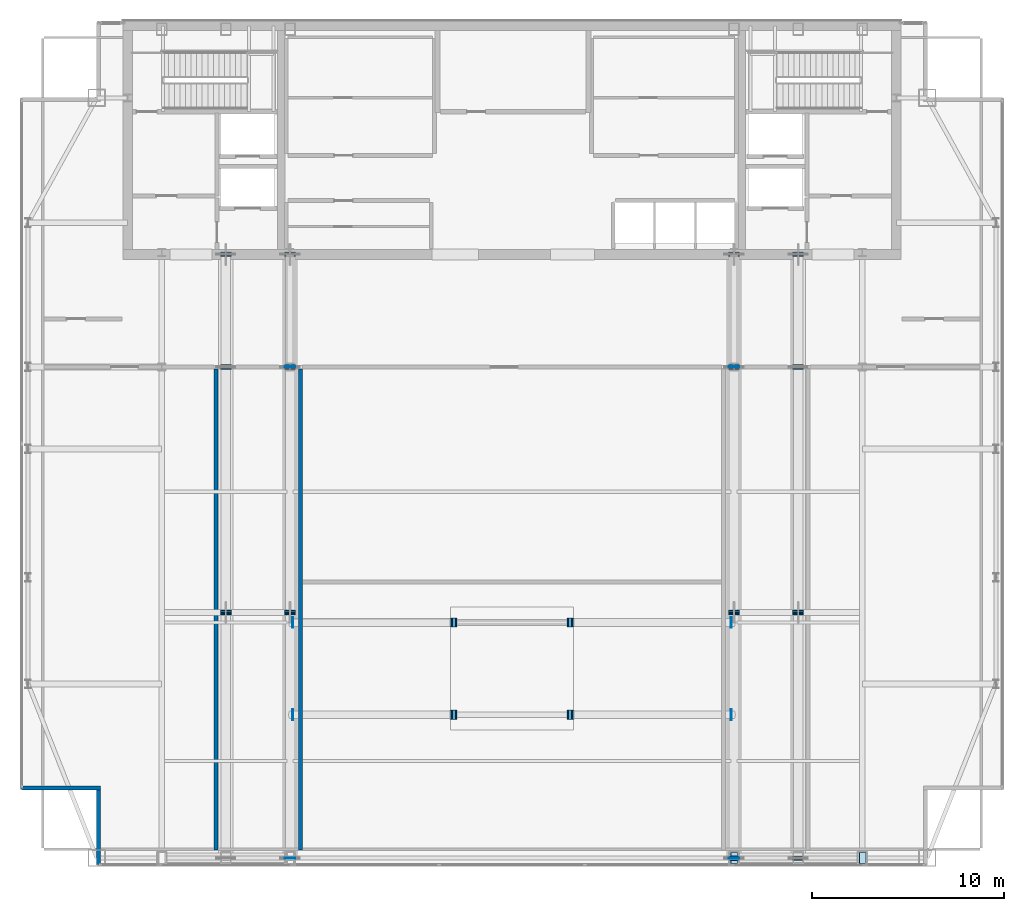
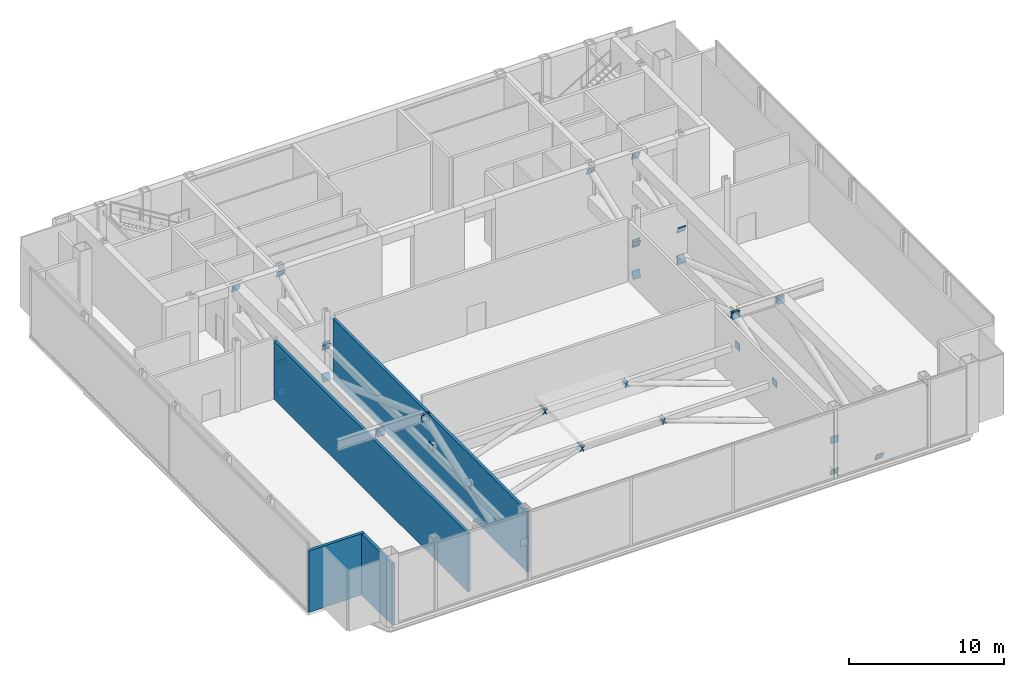
# One storey, part 22 of 26: 40 plates, 4 walls.
"""IFC4 building model written with IfcOpenShell, lengths in metres."""

from ifc_helpers import new_model, si_unit, direction, frame, frame_2d, origin, origin_2d, place, context, subcontext, project, spatial, polyline, rectangle, outline, extrude, material, layer, layer_set, type_object, element, save


model = new_model("IFC4")

# Units and contexts
model_context = context("Model", 3, precision=1e-05, world=origin(), true_north=direction((0.0, 1.0)))
body_context = subcontext(model_context, "Body", "Model", "MODEL_VIEW")
ifc_project = project(units=[si_unit("LENGTHUNIT", "METRE"), si_unit("AREAUNIT", "SQUARE_METRE"), si_unit("VOLUMEUNIT", "CUBIC_METRE"), si_unit("PLANEANGLEUNIT", "RADIAN"), si_unit("MASSUNIT", "GRAM", prefix="KILO")], contexts=[model_context])

# Site, building, storey
site_placement = place(None, origin())
site = spatial("IfcSite", under=ifc_project, at=site_placement, CompositionType="ELEMENT")
building_placement = place(site_placement, origin())
building = spatial("IfcBuilding", under=site, at=building_placement, Name="Khoronbel Lancet Exchange", CompositionType="ELEMENT")
storey_placement = place(building_placement, frame((0.0, 0.0, 350.60009765625)))
storey = spatial("IfcBuildingStorey", under=building, at=storey_placement, Name="L91", CompositionType="ELEMENT", Elevation=350.60009765625)

# Plates
ifc_material_1 = material(Name="Steel S460", Category="steel")
ifc_layer_1 = layer(ifc_material_1, 0.044921875, Name="Steel S460")
ifc_layer_set_1 = layer_set([ifc_layer_1], Name="Steel S460")
plate_type = type_object("IfcPlateType", Name="PLT-ECP1", PredefinedType="USERDEFINED", material=ifc_layer_set_1)
plate_1_placement = place(storey_placement, frame((21.8525390625, 23.05419921875, 4.63818359375), z_axis=(0.0, 0.94096789094, 0.338495831909), x_axis=(-1.0, 0.0, 0.0)))
element("IfcPlate", 1, at=plate_1_placement, inside=storey, type_object=plate_type, Name="Hollow end cap plate PLT-CAP-MEM-L91-OBR1-1-1", ObjectType="STIFFENER_PLATE", PredefinedType="USERDEFINED", context=body_context, shape_type="SweptSolid", body=[
    extrude(outline(polyline([(0.0, 0.0), (0.580078125, 0.0), (0.580078125, 0.579833984375), (0.0, 0.579833984375), (0.0, 0.0)])), origin(), (0.0, 0.0, -1.0), 0.044921875),
])
for number, where, z_axis, x_axis, name in (
    (2, (21.2724609375, 22.795654296875, 4.63818359375), (0.0, -0.940833737281, 0.338868527298), (1.0, 0.0, 0.0), "Hollow end cap plate PLT-CAP-MEM-L91-OBR1-2-0"),
    (3, (21.2724609375, 35.590576171875, 0.031005859375), (0.0, -0.941016101914, 0.33836178262), (1.0, 0.0, 0.0), "Hollow end cap plate PLT-CAP-MEM-L91-OBR1-2-1"),
    (4, (21.8525390625, 35.814208984375, 2.4130859375), (0.0, 0.934920491331, 0.354857259879), (-1.0, 0.0, 0.0), "Hollow end cap plate PLT-CAP-MEM-L91-OBR1-3-0"),
):
    element("IfcPlate", number, at=place(storey_placement, frame(where, z_axis=z_axis, x_axis=x_axis)), inside=storey, type_object=plate_type, Name=name, ObjectType="STIFFENER_PLATE", PredefinedType="USERDEFINED", context=body_context, shape_type="SweptSolid", body=[
        extrude(outline(polyline([(0.0, 0.0), (0.580078125, 0.0), (0.580078125, 0.580078125), (0.0, 0.580078125), (0.0, 0.0)])), origin(), (0.0, 0.0, -1.0), 0.044921875),
    ])
plate_2_placement = place(storey_placement, frame((21.8525390625, 41.683837890625, 4.640380859375), z_axis=(0.0, 0.93497346709, 0.354717656506), x_axis=(-1.0, 0.0, 0.0)))
element("IfcPlate", 5, at=plate_2_placement, inside=storey, type_object=plate_type, Name="Hollow end cap plate PLT-CAP-MEM-L91-OBR1-3-1", ObjectType="STIFFENER_PLATE", PredefinedType="USERDEFINED", context=body_context, shape_type="SweptSolid", body=[
    extrude(outline(polyline([(0.0, 0.0), (0.580078125, 0.0), (0.580078125, 0.580322265625), (0.0, 0.580322265625), (0.0, 0.0)])), origin(), (0.0, 0.0, -1.0), 0.044921875),
])
plate_3_placement = place(storey_placement, frame((25.18994140625, 23.05419921875, 4.63818359375), z_axis=(0.0, 0.94096789094, 0.338495831909), x_axis=(-1.0, 0.0, 0.0)))
element("IfcPlate", 6, at=plate_3_placement, inside=storey, type_object=plate_type, Name="Hollow end cap plate PLT-CAP-MEM-L91-OBR2-1-1", ObjectType="STIFFENER_PLATE", PredefinedType="USERDEFINED", context=body_context, shape_type="SweptSolid", body=[
    extrude(outline(polyline([(0.0, 0.0), (0.579833984375, 0.0), (0.579833984375, 0.579833984375), (0.0, 0.579833984375), (0.0, 0.0)])), origin(), (0.0, 0.0, -1.0), 0.044921875),
])
for number, where, z_axis, x_axis, name in (
    (7, (24.610107421875, 22.795654296875, 4.63818359375), (0.0, -0.940833737281, 0.338868527298), (1.0, 0.0, 0.0), "Hollow end cap plate PLT-CAP-MEM-L91-OBR2-2-0"),
    (8, (24.610107421875, 35.590576171875, 0.031005859375), (0.0, -0.941016101914, 0.33836178262), (1.0, 0.0, 0.0), "Hollow end cap plate PLT-CAP-MEM-L91-OBR2-2-1"),
    (9, (25.18994140625, 35.814208984375, 2.4130859375), (0.0, 0.934920491331, 0.354857259879), (-1.0, 0.0, 0.0), "Hollow end cap plate PLT-CAP-MEM-L91-OBR2-3-0"),
):
    element("IfcPlate", number, at=place(storey_placement, frame(where, z_axis=z_axis, x_axis=x_axis)), inside=storey, type_object=plate_type, Name=name, ObjectType="STIFFENER_PLATE", PredefinedType="USERDEFINED", context=body_context, shape_type="SweptSolid", body=[
        extrude(outline(polyline([(0.0, 0.0), (0.579833984375, 0.0), (0.579833984375, 0.580078125), (0.0, 0.580078125), (0.0, 0.0)])), origin(), (0.0, 0.0, -1.0), 0.044921875),
    ])
plate_4_placement = place(storey_placement, frame((25.18994140625, 41.683837890625, 4.640380859375), z_axis=(0.0, 0.93497346709, 0.354717656506), x_axis=(-1.0, 0.0, 0.0)))
element("IfcPlate", 10, at=plate_4_placement, inside=storey, type_object=plate_type, Name="Hollow end cap plate PLT-CAP-MEM-L91-OBR2-3-1", ObjectType="STIFFENER_PLATE", PredefinedType="USERDEFINED", context=body_context, shape_type="SweptSolid", body=[
    extrude(outline(polyline([(0.0, 0.0), (0.579833984375, 0.0), (0.579833984375, 0.580322265625), (0.0, 0.580322265625), (0.0, 0.0)])), origin(), (0.0, 0.0, -1.0), 0.044921875),
])
plate_5_placement = place(storey_placement, frame((48.2900390625, 10.259521484375, 0.031005859375), z_axis=(0.0, 0.940882047597, 0.338734368656), x_axis=(-1.0, 0.0, 0.0)))
element("IfcPlate", 11, at=plate_5_placement, inside=storey, type_object=plate_type, Name="Hollow end cap plate PLT-CAP-MEM-L91-OBR3-1-0", ObjectType="STIFFENER_PLATE", PredefinedType="USERDEFINED", context=body_context, shape_type="SweptSolid", body=[
    extrude(outline(polyline([(0.0, 0.0), (0.580078125, 0.0), (0.580078125, 0.580078125), (0.0, 0.580078125), (0.0, 0.0)])), origin(), (0.0, 0.0, -1.0), 0.044921875),
])
plate_6_placement = place(storey_placement, frame((48.2900390625, 23.05419921875, 4.63818359375), z_axis=(0.0, 0.94096789094, 0.338495831909), x_axis=(-1.0, 0.0, 0.0)))
element("IfcPlate", 12, at=plate_6_placement, inside=storey, type_object=plate_type, Name="Hollow end cap plate PLT-CAP-MEM-L91-OBR3-1-1", ObjectType="STIFFENER_PLATE", PredefinedType="USERDEFINED", context=body_context, shape_type="SweptSolid", body=[
    extrude(outline(polyline([(0.0, 0.0), (0.580078125, 0.0), (0.580078125, 0.579833984375), (0.0, 0.579833984375), (0.0, 0.0)])), origin(), (0.0, 0.0, -1.0), 0.044921875),
])
for number, where, z_axis, x_axis, name in (
    (13, (47.7099609375, 22.795654296875, 4.63818359375), (0.0, -0.940833737281, 0.338868527298), (1.0, 0.0, 0.0), "Hollow end cap plate PLT-CAP-MEM-L91-OBR3-2-0"),
    (14, (47.7099609375, 35.590576171875, 0.031005859375), (0.0, -0.941016101914, 0.33836178262), (1.0, 0.0, 0.0), "Hollow end cap plate PLT-CAP-MEM-L91-OBR3-2-1"),
    (15, (48.2900390625, 35.814208984375, 2.4130859375), (0.0, 0.934920491331, 0.354857259879), (-1.0, 0.0, 0.0), "Hollow end cap plate PLT-CAP-MEM-L91-OBR3-3-0"),
):
    element("IfcPlate", number, at=place(storey_placement, frame(where, z_axis=z_axis, x_axis=x_axis)), inside=storey, type_object=plate_type, Name=name, ObjectType="STIFFENER_PLATE", PredefinedType="USERDEFINED", context=body_context, shape_type="SweptSolid", body=[
        extrude(outline(polyline([(0.0, 0.0), (0.580078125, 0.0), (0.580078125, 0.580078125), (0.0, 0.580078125), (0.0, 0.0)])), origin(), (0.0, 0.0, -1.0), 0.044921875),
    ])
plate_7_placement = place(storey_placement, frame((48.2900390625, 41.683837890625, 4.640380859375), z_axis=(0.0, 0.93497346709, 0.354717656506), x_axis=(-1.0, 0.0, 0.0)))
element("IfcPlate", 16, at=plate_7_placement, inside=storey, type_object=plate_type, Name="Hollow end cap plate PLT-CAP-MEM-L91-OBR3-3-1", ObjectType="STIFFENER_PLATE", PredefinedType="USERDEFINED", context=body_context, shape_type="SweptSolid", body=[
    extrude(outline(polyline([(0.0, 0.0), (0.580078125, 0.0), (0.580078125, 0.580322265625), (0.0, 0.580322265625), (0.0, 0.0)])), origin(), (0.0, 0.0, -1.0), 0.044921875),
])
plate_8_placement = place(storey_placement, frame((51.62744140625, 10.259521484375, 0.031005859375), z_axis=(0.0, 0.940882047597, 0.338734368656), x_axis=(-1.0, 0.0, 0.0)))
element("IfcPlate", 17, at=plate_8_placement, inside=storey, type_object=plate_type, Name="Hollow end cap plate PLT-CAP-MEM-L91-OBR4-1-0", ObjectType="STIFFENER_PLATE", PredefinedType="USERDEFINED", context=body_context, shape_type="SweptSolid", body=[
    extrude(outline(polyline([(0.0, 0.0), (0.579833984375, 0.0), (0.579833984375, 0.580078125), (0.0, 0.580078125), (0.0, 0.0)])), origin(), (0.0, 0.0, -1.0), 0.044921875),
])
plate_9_placement = place(storey_placement, frame((51.62744140625, 23.05419921875, 4.63818359375), z_axis=(0.0, 0.94096789094, 0.338495831909), x_axis=(-1.0, 0.0, 0.0)))
element("IfcPlate", 18, at=plate_9_placement, inside=storey, type_object=plate_type, Name="Hollow end cap plate PLT-CAP-MEM-L91-OBR4-1-1", ObjectType="STIFFENER_PLATE", PredefinedType="USERDEFINED", context=body_context, shape_type="SweptSolid", body=[
    extrude(outline(polyline([(0.0, 0.0), (0.579833984375, 0.0), (0.579833984375, 0.579833984375), (0.0, 0.579833984375), (0.0, 0.0)])), origin(), (0.0, 0.0, -1.0), 0.044921875),
])
for number, where, z_axis, x_axis, name in (
    (19, (51.047607421875, 22.795654296875, 4.63818359375), (0.0, -0.940833737281, 0.338868527298), (1.0, 0.0, 0.0), "Hollow end cap plate PLT-CAP-MEM-L91-OBR4-2-0"),
    (20, (51.047607421875, 35.590576171875, 0.031005859375), (0.0, -0.941016101914, 0.33836178262), (1.0, 0.0, 0.0), "Hollow end cap plate PLT-CAP-MEM-L91-OBR4-2-1"),
    (21, (51.62744140625, 35.814208984375, 2.4130859375), (0.0, 0.934920491331, 0.354857259879), (-1.0, 0.0, 0.0), "Hollow end cap plate PLT-CAP-MEM-L91-OBR4-3-0"),
):
    element("IfcPlate", number, at=place(storey_placement, frame(where, z_axis=z_axis, x_axis=x_axis)), inside=storey, type_object=plate_type, Name=name, ObjectType="STIFFENER_PLATE", PredefinedType="USERDEFINED", context=body_context, shape_type="SweptSolid", body=[
        extrude(outline(polyline([(0.0, 0.0), (0.579833984375, 0.0), (0.579833984375, 0.580078125), (0.0, 0.580078125), (0.0, 0.0)])), origin(), (0.0, 0.0, -1.0), 0.044921875),
    ])
plate_10_placement = place(storey_placement, frame((51.62744140625, 41.683837890625, 4.640380859375), z_axis=(0.0, 0.93497346709, 0.354717656506), x_axis=(-1.0, 0.0, 0.0)))
element("IfcPlate", 22, at=plate_10_placement, inside=storey, type_object=plate_type, Name="Hollow end cap plate PLT-CAP-MEM-L91-OBR4-3-1", ObjectType="STIFFENER_PLATE", PredefinedType="USERDEFINED", context=body_context, shape_type="SweptSolid", body=[
    extrude(outline(polyline([(0.0, 0.0), (0.579833984375, 0.0), (0.579833984375, 0.580322265625), (0.0, 0.580322265625), (0.0, 0.0)])), origin(), (0.0, 0.0, -1.0), 0.044921875),
])
for number, where, z_axis, x_axis, name in (
    (23, (48.174560546875, 9.860107421875, 0.06787109375), (0.82320600323, 0.0, 0.567742790571), (0.0, 1.0, 0.0), "Hollow end cap plate PLT-CAP-MEM-L91-BELT-2-0"),
    (24, (54.86669921875, 9.860107421875, 4.679931640625), (0.823402698751, 0.0, 0.567457483597), (0.0, 1.0, 0.0), "Hollow end cap plate PLT-CAP-MEM-L91-BELT-2-1"),
):
    element("IfcPlate", number, at=place(storey_placement, frame(where, z_axis=z_axis, x_axis=x_axis)), inside=storey, type_object=plate_type, Name=name, ObjectType="STIFFENER_PLATE", PredefinedType="USERDEFINED", context=body_context, shape_type="SweptSolid", body=[
        extrude(outline(polyline([(0.0, 0.0), (0.579833984375, 0.0), (0.579833984375, 0.580078125), (0.0, 0.580078125), (0.0, 0.0)])), origin(), (0.0, 0.0, -1.0), 0.044921875),
    ])
for number, where, z_axis, x_axis, name in (
    (25, (24.89990234375, 10.139892578125, 2.519775390625), (0.0, 0.0, 1.0), (0.0, -1.0, 0.0), "Hollow end cap plate PLT-CAP-BM-L91-TMD-NS-W-0"),
    (26, (24.89990234375, 35.7099609375, 2.519775390625), (0.0, 0.0, 1.0), (0.0, 1.0, 0.0), "Hollow end cap plate PLT-CAP-BM-L91-TMD-NS-W-1"),
    (27, (48.0, 10.139892578125, 2.519775390625), (0.0, 0.0, 1.0), (0.0, -1.0, 0.0), "Hollow end cap plate PLT-CAP-BM-L91-TMD-NS-E-0"),
    (28, (48.0, 35.7099609375, 2.519775390625), (0.0, 0.0, 1.0), (0.0, 1.0, 0.0), "Hollow end cap plate PLT-CAP-BM-L91-TMD-NS-E-1"),
    (29, (25.050048828125, 17.60009765625, 2.519775390625), (0.0, 0.0, 1.0), (-1.0, 0.0, 0.0), "Hollow end cap plate PLT-CAP-BM-L91-TMD-RB1-0"),
    (30, (47.85009765625, 17.60009765625, 2.519775390625), (0.0, 0.0, 1.0), (1.0, 0.0, 0.0), "Hollow end cap plate PLT-CAP-BM-L91-TMD-RB1-1"),
    (31, (25.050048828125, 22.39990234375, 2.519775390625), (0.0, 0.0, 1.0), (-1.0, 0.0, 0.0), "Hollow end cap plate PLT-CAP-BM-L91-TMD-RB2-0"),
    (32, (47.85009765625, 22.39990234375, 2.519775390625), (0.0, 0.0, 1.0), (1.0, 0.0, 0.0), "Hollow end cap plate PLT-CAP-BM-L91-TMD-RB2-1"),
):
    element("IfcPlate", number, at=place(storey_placement, frame(where, z_axis=z_axis, x_axis=x_axis)), inside=storey, type_object=plate_type, Name=name, ObjectType="STIFFENER_PLATE", PredefinedType="USERDEFINED", context=body_context, shape_type="SweptSolid", body=[
        extrude(rectangle(XDim=0.044921875, YDim=0.56005859375, at=origin_2d()), origin(), (0.0, 0.0, 1.0), 0.56005859375),
    ])
for number, where, z_axis, x_axis, name in (
    (33, (33.227783203125, 17.840087890625, 2.63232421875), (-0.732322378216, 0.0, 0.6809581003), (0.0, -1.0, 0.0), "Hollow end cap plate PLT-CAP-MEM-L92-TMD-HGR1-0"),
    (34, (33.51220703125, 17.360107421875, 2.585205078125), (0.94121126294, 0.0, 0.337818528969), (0.0, 1.0, 0.0), "Hollow end cap plate PLT-CAP-MEM-L91-TMD-DMP1-1"),
    (35, (39.672119140625, 17.360107421875, 2.63232421875), (0.732576022975, 0.0, 0.680685221348), (0.0, 1.0, 0.0), "Hollow end cap plate PLT-CAP-MEM-L92-TMD-HGR2-0"),
    (36, (39.387939453125, 17.840087890625, 2.585205078125), (-0.94121126294, 0.0, 0.337818528969), (0.0, -1.0, 0.0), "Hollow end cap plate PLT-CAP-MEM-L91-TMD-DMP2-1"),
    (37, (39.672119140625, 22.159912109375, 2.63232421875), (0.732576022975, 0.0, 0.680685221348), (0.0, 1.0, 0.0), "Hollow end cap plate PLT-CAP-MEM-L92-TMD-HGR3-0"),
    (38, (39.387939453125, 22.639892578125, 2.585205078125), (-0.94121126294, 0.0, 0.337818528969), (0.0, -1.0, 0.0), "Hollow end cap plate PLT-CAP-MEM-L91-TMD-DMP3-1"),
    (39, (33.227783203125, 22.639892578125, 2.63232421875), (-0.732322378216, 0.0, 0.6809581003), (0.0, -1.0, 0.0), "Hollow end cap plate PLT-CAP-MEM-L92-TMD-HGR4-0"),
    (40, (33.51220703125, 22.159912109375, 2.585205078125), (0.94121126294, 0.0, 0.337818528969), (0.0, 1.0, 0.0), "Hollow end cap plate PLT-CAP-MEM-L91-TMD-DMP4-1"),
):
    element("IfcPlate", number, at=place(storey_placement, frame(where, z_axis=z_axis, x_axis=x_axis)), inside=storey, type_object=plate_type, Name=name, ObjectType="STIFFENER_PLATE", PredefinedType="USERDEFINED", context=body_context, shape_type="SweptSolid", body=[
        extrude(outline(polyline([(0.0, 0.0), (0.47998046875, 0.0), (0.47998046875, 0.47998046875), (0.0, 0.47998046875), (0.0, 0.0)])), origin(), (0.0, 0.0, -1.0), 0.044921875),
    ])

# Walls
ifc_material_2 = material(Name="Precast concrete C40/50", Category="concrete")
ifc_layer_2 = layer(ifc_material_2, 0.25, Name="Precast concrete C40/50")
ifc_layer_set_2 = layer_set([ifc_layer_2], Name="Precast concrete C40/50")
wall_type_1 = type_object("IfcWallType", Name="WL-EXT250", PredefinedType="SOLIDWALL", material=ifc_layer_set_2)
wall_1_placement = place(storey_placement, frame((14.93994140625, 9.77001953125, 0.0), z_axis=(0.0, 0.0, 1.0), x_axis=(0.0, 1.0, 0.0)))
element("IfcWall", 41, at=wall_1_placement, inside=storey, type_object=wall_type_1, Name="Level L91 notched-corner limestone pier 01", PredefinedType="SOLIDWALL", context=body_context, shape_type="SweptSolid", body=[
    extrude(rectangle(XDim=3.909912109375, YDim=0.219970703125, at=frame_2d((1.955078125, 0.0))), origin(), (0.0, 0.0, 1.0), 4.83984375),
])
wall_2_placement = place(storey_placement, frame((15.050048828125, 13.7900390625, 0.0), z_axis=(0.0, 0.0, 1.0), x_axis=(-1.0, 0.0, 0.0)))
element("IfcWall", 42, at=wall_2_placement, inside=storey, type_object=wall_type_1, Name="Level L91 notched-corner limestone pier 02", PredefinedType="SOLIDWALL", context=body_context, shape_type="SweptSolid", body=[
    extrude(rectangle(XDim=4.130126953125, YDim=0.219970703125, at=frame_2d((2.06494140625, 0.0))), origin(), (0.0, 0.0, 1.0), 4.83984375),
])
ifc_material_3 = material(Name="Autoclaved Aerated Concrete Blockwork 200 mm", Category="masonry")
ifc_layer_3 = layer(ifc_material_3, 0.199951171875, Name="Autoclaved Aerated Concrete Blockwork 200 mm")
ifc_layer_set_3 = layer_set([ifc_layer_3], Name="Autoclaved Aerated Concrete Blockwork 200 mm")
wall_type_2 = type_object("IfcWallType", Name="WL-PRT200", PredefinedType="PARTITIONING", material=ifc_layer_set_3)
wall_3_placement = place(storey_placement, frame((21.050048828125, 10.56494140625, 0.0), z_axis=(0.0, 0.0, 1.0), x_axis=(0.0, 1.0, 0.0)))
element("IfcWall", 43, at=wall_3_placement, inside=storey, type_object=wall_type_2, Name="Level L91 interior partition PW-TMD-W1", PredefinedType="PARTITIONING", context=body_context, shape_type="SweptSolid", body=[
    extrude(rectangle(XDim=25.030029296875, YDim=0.199951171875, at=frame_2d((12.51513671875, 0.0))), origin(), (0.0, 0.0, 1.0), 4.58984375),
])
wall_4_placement = place(storey_placement, frame((25.449951171875, 10.56494140625, 0.0), z_axis=(0.0, 0.0, 1.0), x_axis=(0.0, 1.0, 0.0)))
element("IfcWall", 44, at=wall_4_placement, inside=storey, type_object=wall_type_2, Name="Level L91 interior partition PW-TMD-W2", PredefinedType="PARTITIONING", context=body_context, shape_type="SweptSolid", body=[
    extrude(rectangle(XDim=25.030029296875, YDim=0.199951171875, at=frame_2d((12.51513671875, 0.0))), origin(), (0.0, 0.0, 1.0), 4.789794921875),
])

save(model, "model.ifc")
